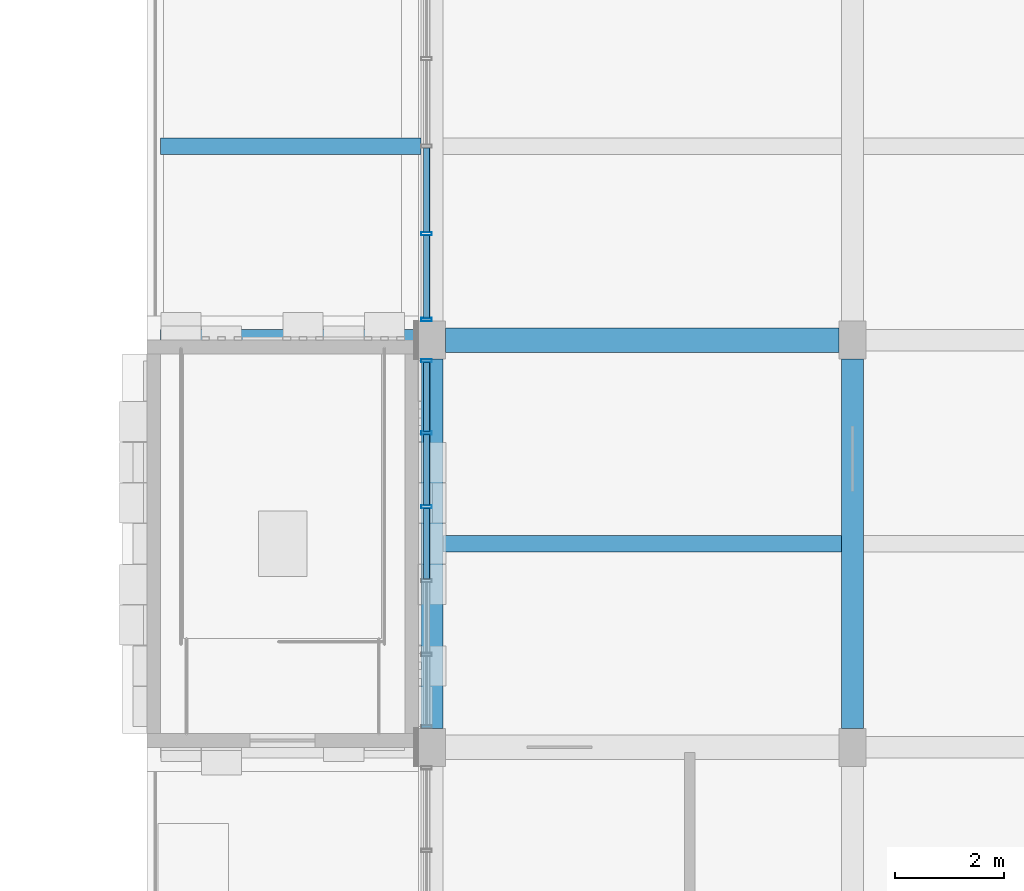
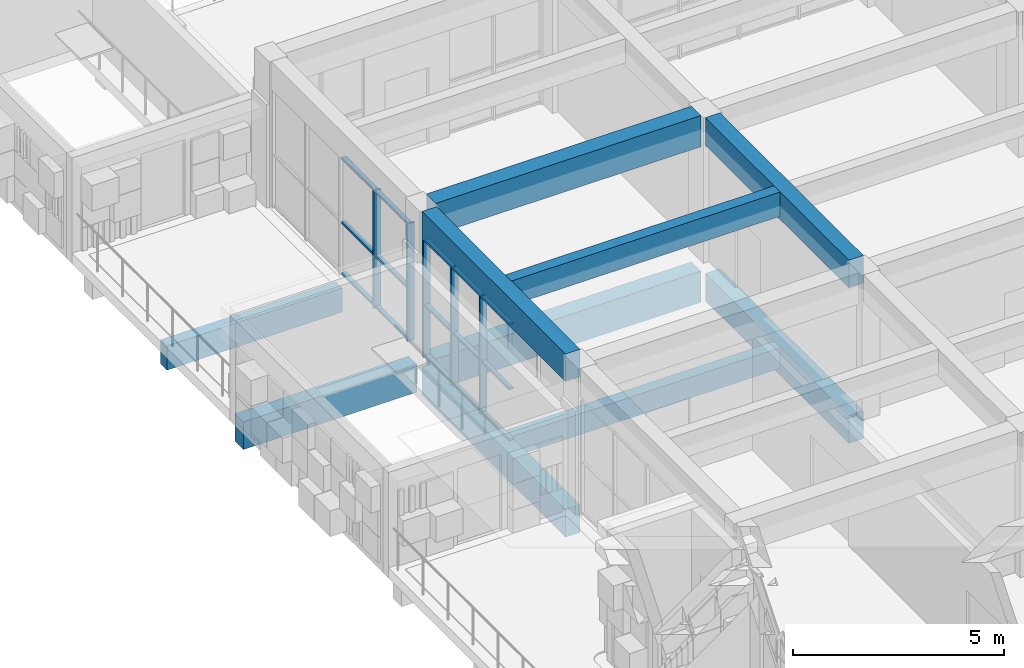
# One storey, part 8 of 26: 20 members, 10 beams, 2 elements without a shape of their own.
"""IFC4 building model written with IfcOpenShell, lengths in metres."""

from ifc_helpers import new_model, si_unit, direction, frame, origin, origin_2d, place, context, subcontext, project, spatial, rectangle, hollow_rectangle, extrude, material, material_profile, profile_set, type_object, element, aggregate, save


model = new_model("IFC4")

# Units and contexts
model_context = context("Model", 3, precision=1e-05, world=origin(), true_north=direction((0.0, 1.0)))
body_context = subcontext(model_context, "Body", "Model", "MODEL_VIEW")
ifc_project = project(units=[si_unit("LENGTHUNIT", "METRE"), si_unit("AREAUNIT", "SQUARE_METRE"), si_unit("VOLUMEUNIT", "CUBIC_METRE"), si_unit("PLANEANGLEUNIT", "RADIAN"), si_unit("MASSUNIT", "GRAM", prefix="KILO")], contexts=[model_context])

# Site, building, storey
site_placement = place(None, origin())
site = spatial("IfcSite", under=ifc_project, at=site_placement, CompositionType="ELEMENT")
building_placement = place(site_placement, origin())
building = spatial("IfcBuilding", under=site, at=building_placement, Name="Sun Court Science Centre", CompositionType="ELEMENT")
storey_placement = place(building_placement, frame((0.0, 0.0, 29.25)))
storey = spatial("IfcBuildingStorey", under=building, at=storey_placement, Name="L06", CompositionType="ELEMENT", Elevation=29.25)

# Curtain wall, members
ifc_material_1 = material(Name="Aluminium EN AW-6063 T6", Category="aluminium")
curtain_wall_type = type_object("IfcCurtainWallType", Name="Laboratory tall bay curtain wall 1500", PredefinedType="NOTDEFINED", material=ifc_material_1)
curtain_wall_1_placement = place(storey_placement, origin())
curtain_wall_1 = element("IfcCurtainWall", 1, at=curtain_wall_1_placement, inside=storey, type_object=curtain_wall_type, Name="Curtain wall V4 PW L06 02", PredefinedType="NOTDEFINED")
ifc_material_2 = material(Name="Aluminium EN AW-6063 T6", Category="aluminium")
ifc_material_profile_1 = material_profile(ifc_material_2, hollow_rectangle(XDim=0.06005859375, YDim=0.199951171875, WallThickness=0.0048828125, InnerFilletRadius=0.0048828125, OuterFilletRadius=0.007568359375, at=origin_2d()), Name="AL 60x200x5")
ifc_profile_set_1 = profile_set([ifc_material_profile_1], Name="Aluminium EN AW-6063 T6")
member_type_1 = type_object("IfcMemberType", Name="Curtain wall mullion AL 60x200", PredefinedType="MULLION", material=ifc_profile_set_1)
member_1_placement = place(storey_placement, frame((87.14990234375, 62.929931640625, 0.0), z_axis=(0.0, 0.0, 1.0), x_axis=(0.0, 1.0, 0.0)))
member_1 = element("IfcMember", 2, at=member_1_placement, type_object=member_type_1, Name="CW2-79 mullion 4", PredefinedType="MULLION", context=body_context, shape_type="SweptSolid", body=[
    extrude(hollow_rectangle(XDim=0.06005859375, YDim=0.199951171875, WallThickness=0.0048828125, InnerFilletRadius=0.0048828125, OuterFilletRadius=0.007568359375, at=origin_2d()), origin(), (0.0, 0.0, 1.0), 3.39990234375),
])
member_2_placement = place(storey_placement, frame((87.14990234375, 64.2900390625, 0.0), z_axis=(0.0, 0.0, 1.0), x_axis=(0.0, 1.0, 0.0)))
member_2 = element("IfcMember", 3, at=member_2_placement, type_object=member_type_1, Name="CW2-79 mullion 5", PredefinedType="MULLION", context=body_context, shape_type="SweptSolid", body=[
    extrude(hollow_rectangle(XDim=0.06005859375, YDim=0.199951171875, WallThickness=0.0048828125, InnerFilletRadius=0.0048828125, OuterFilletRadius=0.007568359375, at=origin_2d()), origin(), (0.0, 0.0, 1.0), 3.39990234375),
])
member_3_placement = place(storey_placement, frame((87.14990234375, 65.6201171875, 0.0), z_axis=(0.0, 0.0, 1.0), x_axis=(0.0, 1.0, 0.0)))
member_3 = element("IfcMember", 4, at=member_3_placement, type_object=member_type_1, Name="CW2-79 mullion 6", PredefinedType="MULLION", context=body_context, shape_type="SweptSolid", body=[
    extrude(hollow_rectangle(XDim=0.06005859375, YDim=0.199951171875, WallThickness=0.0048828125, InnerFilletRadius=0.0048828125, OuterFilletRadius=0.007568359375, at=origin_2d()), origin(), (0.0, 0.0, 1.0), 3.39990234375),
])

curtain_wall_2_placement = place(storey_placement, origin())
curtain_wall_2 = element("IfcCurtainWall", 5, at=curtain_wall_2_placement, inside=storey, type_object=curtain_wall_type, Name="Curtain wall V4 PW L06 03", PredefinedType="NOTDEFINED")
member_4_placement = place(storey_placement, frame((87.14990234375, 66.3798828125, 0.0), z_axis=(0.0, 0.0, 1.0), x_axis=(0.0, 1.0, 0.0)))
member_4 = element("IfcMember", 6, at=member_4_placement, type_object=member_type_1, Name="CW2-80 mullion 1", PredefinedType="MULLION", context=body_context, shape_type="SweptSolid", body=[
    extrude(hollow_rectangle(XDim=0.06005859375, YDim=0.199951171875, WallThickness=0.0048828125, InnerFilletRadius=0.0048828125, OuterFilletRadius=0.007568359375, at=origin_2d()), origin(), (0.0, 0.0, 1.0), 3.39990234375),
])
member_5_placement = place(storey_placement, frame((87.14990234375, 67.96240234375, 0.0), z_axis=(0.0, 0.0, 1.0), x_axis=(0.0, 1.0, 0.0)))
member_5 = element("IfcMember", 7, at=member_5_placement, type_object=member_type_1, Name="CW2-80 mullion 2", PredefinedType="MULLION", context=body_context, shape_type="SweptSolid", body=[
    extrude(hollow_rectangle(XDim=0.06005859375, YDim=0.199951171875, WallThickness=0.0048828125, InnerFilletRadius=0.0048828125, OuterFilletRadius=0.007568359375, at=origin_2d()), origin(), (0.0, 0.0, 1.0), 3.39990234375),
])

# Member
ifc_material_3 = material(Name="Aluminium EN AW-6063 T6", Category="aluminium")
ifc_material_profile_2 = material_profile(ifc_material_3, hollow_rectangle(XDim=0.06005859375, YDim=0.1201171875, WallThickness=0.00390625, InnerFilletRadius=0.00390625, OuterFilletRadius=0.006103515625, at=origin_2d()), Name="AL 60x120x4")
ifc_profile_set_2 = profile_set([ifc_material_profile_2], Name="Aluminium EN AW-6063 T6")
member_type_2 = type_object("IfcMemberType", Name="Curtain wall transom AL 60x120", PredefinedType="USERDEFINED", material=ifc_profile_set_2)
member_6_placement = place(storey_placement, frame((87.14990234375, 61.60009765625, 0.030029296875), z_axis=(0.0, 1.0, 0.0), x_axis=(0.0, 0.0, 1.0)))
member_6 = element("IfcMember", 8, at=member_6_placement, type_object=member_type_2, Name="CW2-79 transom 3.1", ObjectType="TRANSOM", PredefinedType="USERDEFINED", context=body_context, shape_type="SweptSolid", body=[
    extrude(hollow_rectangle(XDim=0.06005859375, YDim=0.1201171875, WallThickness=0.00390625, InnerFilletRadius=0.00390625, OuterFilletRadius=0.006103515625, at=origin_2d()), origin(), (0.0, 0.0, 1.0), 1.2998046875),
])

member_7_placement = place(storey_placement, frame((87.14990234375, 62.9599609375, 0.030029296875), z_axis=(0.0, 1.0, 0.0), x_axis=(0.0, 0.0, 1.0)))
member_7 = element("IfcMember", 9, at=member_7_placement, type_object=member_type_2, Name="CW2-79 transom 4.1", ObjectType="TRANSOM", PredefinedType="USERDEFINED", context=body_context, shape_type="SweptSolid", body=[
    extrude(hollow_rectangle(XDim=0.06005859375, YDim=0.1201171875, WallThickness=0.00390625, InnerFilletRadius=0.00390625, OuterFilletRadius=0.006103515625, at=origin_2d()), origin(), (0.0, 0.0, 1.0), 1.300048828125),
])

member_8_placement = place(storey_placement, frame((87.14990234375, 64.320068359375, 0.030029296875), z_axis=(0.0, 1.0, 0.0), x_axis=(0.0, 0.0, 1.0)))
member_8 = element("IfcMember", 10, at=member_8_placement, type_object=member_type_2, Name="CW2-79 transom 5.1", ObjectType="TRANSOM", PredefinedType="USERDEFINED", context=body_context, shape_type="SweptSolid", body=[
    extrude(hollow_rectangle(XDim=0.06005859375, YDim=0.1201171875, WallThickness=0.00390625, InnerFilletRadius=0.00390625, OuterFilletRadius=0.006103515625, at=origin_2d()), origin(), (0.0, 0.0, 1.0), 1.27001953125),
])

member_9_placement = place(storey_placement, frame((87.14990234375, 61.60009765625, 1.5), z_axis=(0.0, 1.0, 0.0), x_axis=(0.0, 0.0, 1.0)))
member_9 = element("IfcMember", 11, at=member_9_placement, type_object=member_type_2, Name="CW2-79 transom 3.2", ObjectType="TRANSOM", PredefinedType="USERDEFINED", context=body_context, shape_type="SweptSolid", body=[
    extrude(hollow_rectangle(XDim=0.06005859375, YDim=0.1201171875, WallThickness=0.00390625, InnerFilletRadius=0.00390625, OuterFilletRadius=0.006103515625, at=origin_2d()), origin(), (0.0, 0.0, 1.0), 1.2998046875),
])

member_10_placement = place(storey_placement, frame((87.14990234375, 62.9599609375, 1.5), z_axis=(0.0, 1.0, 0.0), x_axis=(0.0, 0.0, 1.0)))
member_10 = element("IfcMember", 12, at=member_10_placement, type_object=member_type_2, Name="CW2-79 transom 4.2", ObjectType="TRANSOM", PredefinedType="USERDEFINED", context=body_context, shape_type="SweptSolid", body=[
    extrude(hollow_rectangle(XDim=0.06005859375, YDim=0.1201171875, WallThickness=0.00390625, InnerFilletRadius=0.00390625, OuterFilletRadius=0.006103515625, at=origin_2d()), origin(), (0.0, 0.0, 1.0), 1.300048828125),
])

member_11_placement = place(storey_placement, frame((87.14990234375, 64.320068359375, 1.5), z_axis=(0.0, 1.0, 0.0), x_axis=(0.0, 0.0, 1.0)))
member_11 = element("IfcMember", 13, at=member_11_placement, type_object=member_type_2, Name="CW2-79 transom 5.2", ObjectType="TRANSOM", PredefinedType="USERDEFINED", context=body_context, shape_type="SweptSolid", body=[
    extrude(hollow_rectangle(XDim=0.06005859375, YDim=0.1201171875, WallThickness=0.00390625, InnerFilletRadius=0.00390625, OuterFilletRadius=0.006103515625, at=origin_2d()), origin(), (0.0, 0.0, 1.0), 1.27001953125),
])

member_12_placement = place(storey_placement, frame((87.14990234375, 61.60009765625, 3.3701171875), z_axis=(0.0, 1.0, 0.0), x_axis=(0.0, 0.0, 1.0)))
member_12 = element("IfcMember", 14, at=member_12_placement, type_object=member_type_2, Name="CW2-79 transom 3.3", ObjectType="TRANSOM", PredefinedType="USERDEFINED", context=body_context, shape_type="SweptSolid", body=[
    extrude(hollow_rectangle(XDim=0.06005859375, YDim=0.1201171875, WallThickness=0.00390625, InnerFilletRadius=0.00390625, OuterFilletRadius=0.006103515625, at=origin_2d()), origin(), (0.0, 0.0, 1.0), 1.2998046875),
])

member_13_placement = place(storey_placement, frame((87.14990234375, 62.9599609375, 3.3701171875), z_axis=(0.0, 1.0, 0.0), x_axis=(0.0, 0.0, 1.0)))
member_13 = element("IfcMember", 15, at=member_13_placement, type_object=member_type_2, Name="CW2-79 transom 4.3", ObjectType="TRANSOM", PredefinedType="USERDEFINED", context=body_context, shape_type="SweptSolid", body=[
    extrude(hollow_rectangle(XDim=0.06005859375, YDim=0.1201171875, WallThickness=0.00390625, InnerFilletRadius=0.00390625, OuterFilletRadius=0.006103515625, at=origin_2d()), origin(), (0.0, 0.0, 1.0), 1.300048828125),
])

member_14_placement = place(storey_placement, frame((87.14990234375, 64.320068359375, 3.3701171875), z_axis=(0.0, 1.0, 0.0), x_axis=(0.0, 0.0, 1.0)))
member_14 = element("IfcMember", 16, at=member_14_placement, type_object=member_type_2, Name="CW2-79 transom 5.3", ObjectType="TRANSOM", PredefinedType="USERDEFINED", context=body_context, shape_type="SweptSolid", body=[
    extrude(hollow_rectangle(XDim=0.06005859375, YDim=0.1201171875, WallThickness=0.00390625, InnerFilletRadius=0.00390625, OuterFilletRadius=0.006103515625, at=origin_2d()), origin(), (0.0, 0.0, 1.0), 1.27001953125),
])

aggregate(curtain_wall_1, [member_1, member_2, member_3, member_6, member_7, member_8, member_9, member_10, member_11, member_12, member_13, member_14])

member_15_placement = place(storey_placement, frame((87.14990234375, 66.409912109375, 0.030029296875), z_axis=(0.0, 1.0, 0.0), x_axis=(0.0, 0.0, 1.0)))
member_15 = element("IfcMember", 17, at=member_15_placement, type_object=member_type_2, Name="CW2-80 transom 1.1", ObjectType="TRANSOM", PredefinedType="USERDEFINED", context=body_context, shape_type="SweptSolid", body=[
    extrude(hollow_rectangle(XDim=0.06005859375, YDim=0.1201171875, WallThickness=0.00390625, InnerFilletRadius=0.00390625, OuterFilletRadius=0.006103515625, at=origin_2d()), origin(), (0.0, 0.0, 1.0), 1.522705078125),
])

member_16_placement = place(storey_placement, frame((87.14990234375, 67.992431640625, 0.030029296875), z_axis=(0.0, 1.0, 0.0), x_axis=(0.0, 0.0, 1.0)))
member_16 = element("IfcMember", 18, at=member_16_placement, type_object=member_type_2, Name="CW2-80 transom 2.1", ObjectType="TRANSOM", PredefinedType="USERDEFINED", context=body_context, shape_type="SweptSolid", body=[
    extrude(hollow_rectangle(XDim=0.06005859375, YDim=0.1201171875, WallThickness=0.00390625, InnerFilletRadius=0.00390625, OuterFilletRadius=0.006103515625, at=origin_2d()), origin(), (0.0, 0.0, 1.0), 1.552490234375),
])

member_17_placement = place(storey_placement, frame((87.14990234375, 66.409912109375, 1.5), z_axis=(0.0, 1.0, 0.0), x_axis=(0.0, 0.0, 1.0)))
member_17 = element("IfcMember", 19, at=member_17_placement, type_object=member_type_2, Name="CW2-80 transom 1.2", ObjectType="TRANSOM", PredefinedType="USERDEFINED", context=body_context, shape_type="SweptSolid", body=[
    extrude(hollow_rectangle(XDim=0.06005859375, YDim=0.1201171875, WallThickness=0.00390625, InnerFilletRadius=0.00390625, OuterFilletRadius=0.006103515625, at=origin_2d()), origin(), (0.0, 0.0, 1.0), 1.522705078125),
])

member_18_placement = place(storey_placement, frame((87.14990234375, 67.992431640625, 1.5), z_axis=(0.0, 1.0, 0.0), x_axis=(0.0, 0.0, 1.0)))
member_18 = element("IfcMember", 20, at=member_18_placement, type_object=member_type_2, Name="CW2-80 transom 2.2", ObjectType="TRANSOM", PredefinedType="USERDEFINED", context=body_context, shape_type="SweptSolid", body=[
    extrude(hollow_rectangle(XDim=0.06005859375, YDim=0.1201171875, WallThickness=0.00390625, InnerFilletRadius=0.00390625, OuterFilletRadius=0.006103515625, at=origin_2d()), origin(), (0.0, 0.0, 1.0), 1.552490234375),
])

member_19_placement = place(storey_placement, frame((87.14990234375, 66.409912109375, 3.3701171875), z_axis=(0.0, 1.0, 0.0), x_axis=(0.0, 0.0, 1.0)))
member_19 = element("IfcMember", 21, at=member_19_placement, type_object=member_type_2, Name="CW2-80 transom 1.3", ObjectType="TRANSOM", PredefinedType="USERDEFINED", context=body_context, shape_type="SweptSolid", body=[
    extrude(hollow_rectangle(XDim=0.06005859375, YDim=0.1201171875, WallThickness=0.00390625, InnerFilletRadius=0.00390625, OuterFilletRadius=0.006103515625, at=origin_2d()), origin(), (0.0, 0.0, 1.0), 1.522705078125),
])

member_20_placement = place(storey_placement, frame((87.14990234375, 67.992431640625, 3.3701171875), z_axis=(0.0, 1.0, 0.0), x_axis=(0.0, 0.0, 1.0)))
member_20 = element("IfcMember", 22, at=member_20_placement, type_object=member_type_2, Name="CW2-80 transom 2.3", ObjectType="TRANSOM", PredefinedType="USERDEFINED", context=body_context, shape_type="SweptSolid", body=[
    extrude(hollow_rectangle(XDim=0.06005859375, YDim=0.1201171875, WallThickness=0.00390625, InnerFilletRadius=0.00390625, OuterFilletRadius=0.006103515625, at=origin_2d()), origin(), (0.0, 0.0, 1.0), 1.552490234375),
])

aggregate(curtain_wall_2, [member_4, member_5, member_15, member_16, member_17, member_18, member_19, member_20])

# Beams
ifc_material_4 = material(Name="Concrete C25/30", Category="concrete")
ifc_material_profile_3 = material_profile(ifc_material_4, rectangle(XDim=0.39990234375, YDim=0.800048828125, at=origin_2d()), Name="RC 400x800")
ifc_profile_set_3 = profile_set([ifc_material_profile_3], Name="Concrete C25/30")
beam_type_1 = type_object("IfcBeamType", Name="RC girder 400x800", PredefinedType="BEAM", material=ifc_profile_set_3)
beam_1_placement = place(storey_placement, frame((82.25, 66.0, -0.699951171875), z_axis=(1.0, 0.0, 0.0), x_axis=(0.0, 1.0, 0.0)))
element("IfcBeam", 23, at=beam_1_placement, inside=storey, type_object=beam_type_1, Name="Girder L06 row 6", PredefinedType="BEAM", context=body_context, shape_type="SweptSolid", body=[
    extrude(rectangle(XDim=0.39990234375, YDim=0.800048828125, at=origin_2d()), origin(), (0.0, 0.0, 1.0), 4.75),
])
for number, where, z_axis, x_axis, name in (
    (24, (87.25, 58.85009765625, -0.699951171875), (0.0, 1.0, 0.0), (-1.0, 0.0, 0.0), "Girder L06 line 1"),
    (25, (95.0, 58.85009765625, -0.699951171875), (0.0, 1.0, 0.0), (-1.0, 0.0, 0.0), "Girder L06 line 2"),
    (26, (87.25, 58.85009765625, 3.800048828125), (0.0, 1.0, 0.0), (-1.0, 0.0, 0.0), "Girder L06P line 1"),
    (27, (95.0, 58.85009765625, 3.800048828125), (0.0, 1.0, 0.0), (-1.0, 0.0, 0.0), "Girder L06P line 2"),
):
    element("IfcBeam", number, at=place(storey_placement, frame(where, z_axis=z_axis, x_axis=x_axis)), inside=storey, type_object=beam_type_1, Name=name, PredefinedType="BEAM", context=body_context, shape_type="SweptSolid", body=[
        extrude(rectangle(XDim=0.39990234375, YDim=0.800048828125, at=origin_2d()), origin(), (0.0, 0.0, 1.0), 6.7998046875),
    ])
ifc_material_5 = material(Name="Concrete C25/30", Category="concrete")
ifc_material_profile_4 = material_profile(ifc_material_5, rectangle(XDim=0.449951171875, YDim=0.89990234375, at=origin_2d()), Name="RC 450x900")
ifc_profile_set_4 = profile_set([ifc_material_profile_4], Name="Concrete C25/30")
beam_type_2 = type_object("IfcBeamType", Name="RC girder 450x900", PredefinedType="BEAM", material=ifc_profile_set_4)
for number, where, z_axis, x_axis, name in (
    (28, (87.5, 66.0, -0.75), (1.0, 0.0, 0.0), (0.0, 1.0, 0.0), "Girder L06 row 6"),
    (29, (87.5, 66.0, 3.75), (1.0, 0.0, 0.0), (0.0, 1.0, 0.0), "Girder L06P row 4"),
):
    element("IfcBeam", number, at=place(storey_placement, frame(where, z_axis=z_axis, x_axis=x_axis)), inside=storey, type_object=beam_type_2, Name=name, PredefinedType="BEAM", context=body_context, shape_type="SweptSolid", body=[
        extrude(rectangle(XDim=0.449951171875, YDim=0.89990234375, at=origin_2d()), origin(), (0.0, 0.0, 1.0), 7.25),
    ])
ifc_material_6 = material(Name="Concrete C25/30", Category="concrete")
ifc_material_profile_5 = material_profile(ifc_material_6, rectangle(XDim=0.300048828125, YDim=0.60009765625, at=origin_2d()), Name="RC 300x600")
ifc_profile_set_5 = profile_set([ifc_material_profile_5], Name="Concrete C25/30")
beam_type_3 = type_object("IfcBeamType", Name="RC joist 300x600", PredefinedType="JOIST", material=ifc_profile_set_5)
beam_2_placement = place(storey_placement, frame((87.449951171875, 62.25, -0.60009765625), z_axis=(1.0, 0.0, 0.0), x_axis=(0.0, 1.0, 0.0)))
element("IfcBeam", 30, at=beam_2_placement, inside=storey, type_object=beam_type_3, Name="Joist L06", PredefinedType="JOIST", context=body_context, shape_type="SweptSolid", body=[
    extrude(rectangle(XDim=0.300048828125, YDim=0.60009765625, at=origin_2d()), origin(), (0.0, 0.0, 1.0), 7.35009765625),
])
ifc_material_7 = material(Name="Concrete C25/30", Category="concrete")
ifc_material_profile_6 = material_profile(ifc_material_7, rectangle(XDim=0.300048828125, YDim=0.699951171875, at=origin_2d()), Name="RC 300x700")
ifc_profile_set_6 = profile_set([ifc_material_profile_6], Name="Concrete C25/30")
beam_type_4 = type_object("IfcBeamType", Name="RC joist 300x700", PredefinedType="JOIST", material=ifc_profile_set_6)
beam_3_placement = place(storey_placement, frame((82.25, 69.574951171875, -0.64990234375), z_axis=(1.0, 0.0, 0.0), x_axis=(0.0, 1.0, 0.0)))
element("IfcBeam", 31, at=beam_3_placement, inside=storey, type_object=beam_type_4, Name="Joist L06", PredefinedType="JOIST", context=body_context, shape_type="SweptSolid", body=[
    extrude(rectangle(XDim=0.300048828125, YDim=0.699951171875, at=origin_2d()), origin(), (0.0, 0.0, 1.0), 4.800048828125),
])
beam_4_placement = place(storey_placement, frame((87.449951171875, 62.25, 3.85009765625), z_axis=(1.0, 0.0, 0.0), x_axis=(0.0, 1.0, 0.0)))
element("IfcBeam", 32, at=beam_4_placement, inside=storey, type_object=beam_type_4, Name="Joist L06P", PredefinedType="JOIST", context=body_context, shape_type="SweptSolid", body=[
    extrude(rectangle(XDim=0.300048828125, YDim=0.699951171875, at=origin_2d()), origin(), (0.0, 0.0, 1.0), 7.35009765625),
])

save(model, "model.ifc")
